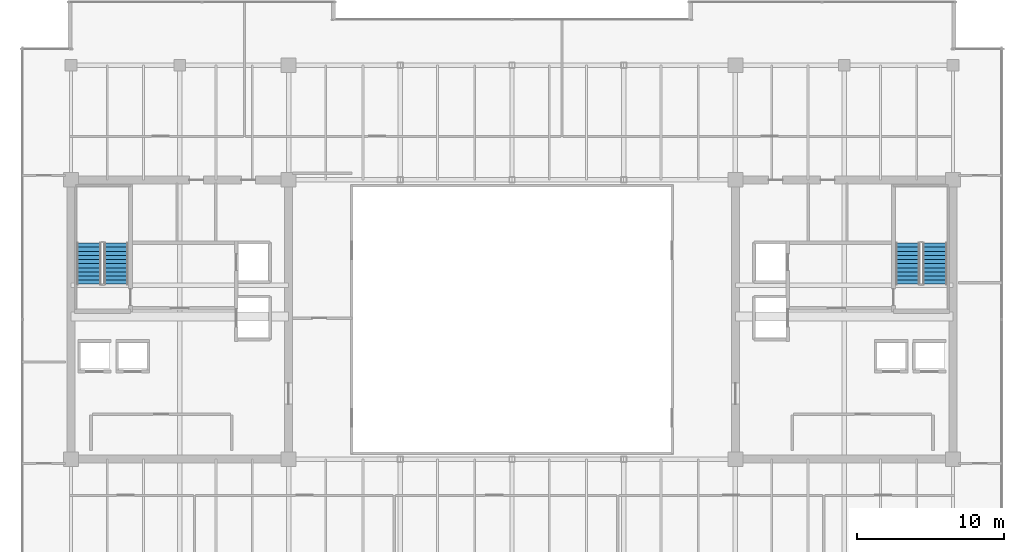
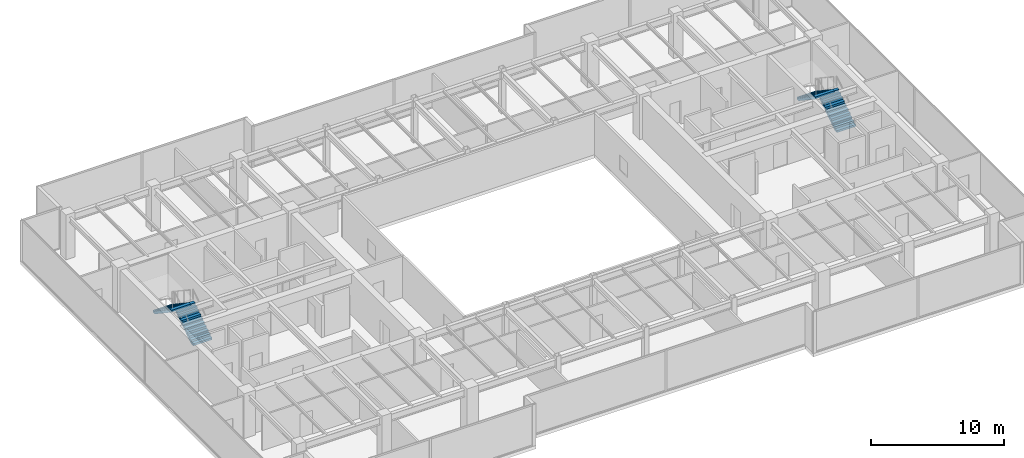
# One storey, part 31 of 33: 4 stair flights, 2 elements without a shape of their own.
"""IFC4 building model written with IfcOpenShell, lengths in metres."""

from ifc_helpers import new_model, si_unit, direction, frame, origin, place, context, subcontext, project, spatial, polyline, outline, extrude, source, transform, mapped, material, type_object, type_shapes, element, aggregate, save


model = new_model("IFC4")

# Units and contexts
model_context = context("Model", 3, precision=1e-05, world=origin(), true_north=direction((0.0, 1.0)))
body_context = subcontext(model_context, "Body", "Model", "MODEL_VIEW")
ifc_project = project(units=[si_unit("LENGTHUNIT", "METRE"), si_unit("AREAUNIT", "SQUARE_METRE"), si_unit("VOLUMEUNIT", "CUBIC_METRE"), si_unit("PLANEANGLEUNIT", "RADIAN"), si_unit("MASSUNIT", "GRAM", prefix="KILO")], contexts=[model_context])

# Site, building, storey
site_placement = place(None, origin())
site = spatial("IfcSite", under=ifc_project, at=site_placement, CompositionType="ELEMENT")
building_placement = place(site_placement, origin())
building = spatial("IfcBuilding", under=site, at=building_placement, Name="Haelvirn Gate Laboratories", CompositionType="ELEMENT")
storey_placement = place(building_placement, frame((0.0, 0.0, 279.300048828125)))
storey = spatial("IfcBuildingStorey", under=building, at=storey_placement, Name="L67", CompositionType="ELEMENT", Elevation=279.300048828125)

# Stair, stair flights
ifc_material = material(Name="Concrete C40/50", Category="concrete")
stair_type = type_object("IfcStairType", Name="ST-DOG-1650-R22", PredefinedType="HALF_TURN_STAIR", material=ifc_material)
stair_1_placement = place(storey_placement, origin())
stair_1 = element("IfcStair", 1, at=stair_1_placement, inside=storey, type_object=stair_type, Name="L67 Escape Stair ST1", PredefinedType="HALF_TURN_STAIR")
stair_flight_type = type_object("IfcStairFlightType", Name="STF-1650-R11", PredefinedType="STRAIGHT", material=ifc_material)
shared_shape = source(origin(), body_context, "Body", "SweptSolid", [
    extrude(outline(polyline([(0.0, 0.0), (0.0, 0.186279296875), (0.280029296875, 0.186279296875), (0.280029296875, 0.372802734375), (0.56005859375, 0.372802734375), (0.56005859375, 0.55908203125), (0.840087890625, 0.55908203125), (0.840087890625, 0.745361328125), (1.1201171875, 0.745361328125), (1.1201171875, 0.931884765625), (1.39990234375, 0.931884765625), (1.39990234375, 1.1181640625), (1.679931640625, 1.1181640625), (1.679931640625, 1.304443359375), (1.9599609375, 1.304443359375), (1.9599609375, 1.490966796875), (2.239990234375, 1.490966796875), (2.239990234375, 1.67724609375), (2.52001953125, 1.67724609375), (2.52001953125, 1.863525390625), (2.800048828125, 1.863525390625), (2.800048828125, 2.050048828125), (2.800048828125, 1.671630859375), (0.28857421875, 0.0), (0.0, 0.0)])), frame((0.0, 0.824951171875, 0.0), z_axis=(0.0, -1.0, 0.0), x_axis=(1.0, 0.0, 0.0)), (0.0, 0.0, 1.0), 1.64990234375),
])
type_shapes(stair_flight_type, [shared_shape])
stair_flight_1_placement = place(storey_placement, frame((10.47509765625, 26.699951171875, 0.0), z_axis=(0.0, 0.0, 1.0), x_axis=(0.0, 1.0, 0.0)))
stair_flight_1 = element("IfcStairFlight", 2, at=stair_flight_1_placement, type_object=stair_flight_type, Name="ST1 flight 1", NumberOfRisers=11, NumberOfTreads=10, PredefinedType="STRAIGHT", RiserHeight=0.186363636, TreadLength=0.28, context=body_context, shape_type="MappedRepresentation", body=[
    mapped(shared_shape, transform((0.0, 0.0, 0.0), scale=1.0)),
])
stair_flight_2_placement = place(storey_placement, frame((8.625, 29.5, 2.050048828125), z_axis=(0.0, 0.0, 1.0), x_axis=(0.0, -1.0, 0.0)))
stair_flight_2 = element("IfcStairFlight", 3, at=stair_flight_2_placement, type_object=stair_flight_type, Name="ST1 flight 2", NumberOfRisers=11, NumberOfTreads=10, PredefinedType="STRAIGHT", RiserHeight=0.186363636, TreadLength=0.28, context=body_context, shape_type="MappedRepresentation", body=[
    mapped(shared_shape, transform((0.0, 0.0, 0.0), scale=1.0)),
])
aggregate(stair_1, [stair_flight_1, stair_flight_2])

stair_2_placement = place(storey_placement, origin())
stair_2 = element("IfcStair", 4, at=stair_2_placement, inside=storey, type_object=stair_type, Name="L67 Escape Stair ST2", PredefinedType="HALF_TURN_STAIR")
stair_flight_3_placement = place(storey_placement, frame((66.175048828125, 26.699951171875, 0.0), z_axis=(0.0, 0.0, 1.0), x_axis=(0.0, 1.0, 0.0)))
stair_flight_3 = element("IfcStairFlight", 5, at=stair_flight_3_placement, type_object=stair_flight_type, Name="ST2 flight 1", NumberOfRisers=11, NumberOfTreads=10, PredefinedType="STRAIGHT", RiserHeight=0.186363636, TreadLength=0.28, context=body_context, shape_type="MappedRepresentation", body=[
    mapped(shared_shape, transform((0.0, 0.0, 0.0), scale=1.0)),
])
stair_flight_4_placement = place(storey_placement, frame((64.324951171875, 29.5, 2.050048828125), z_axis=(0.0, 0.0, 1.0), x_axis=(0.0, -1.0, 0.0)))
stair_flight_4 = element("IfcStairFlight", 6, at=stair_flight_4_placement, type_object=stair_flight_type, Name="ST2 flight 2", NumberOfRisers=11, NumberOfTreads=10, PredefinedType="STRAIGHT", RiserHeight=0.186363636, TreadLength=0.28, context=body_context, shape_type="MappedRepresentation", body=[
    mapped(shared_shape, transform((0.0, 0.0, 0.0), scale=1.0)),
])
aggregate(stair_2, [stair_flight_3, stair_flight_4])

save(model, "model.ifc")
